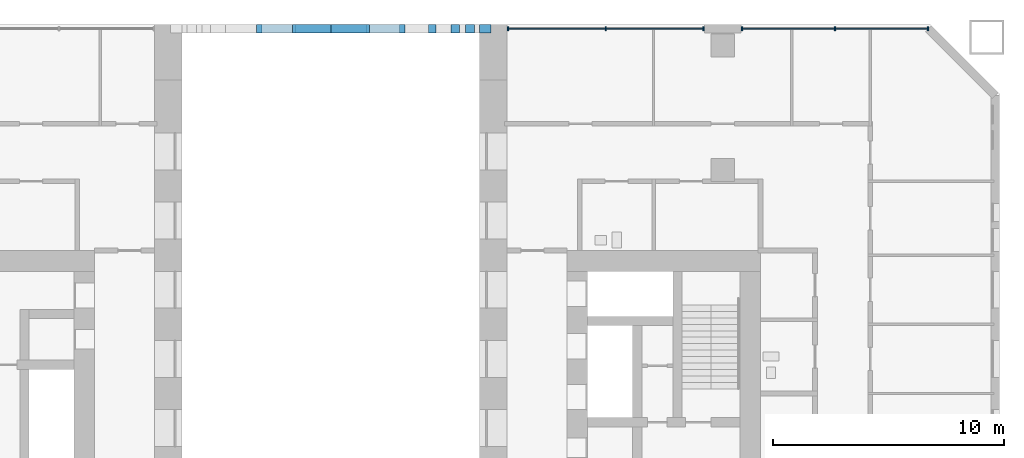
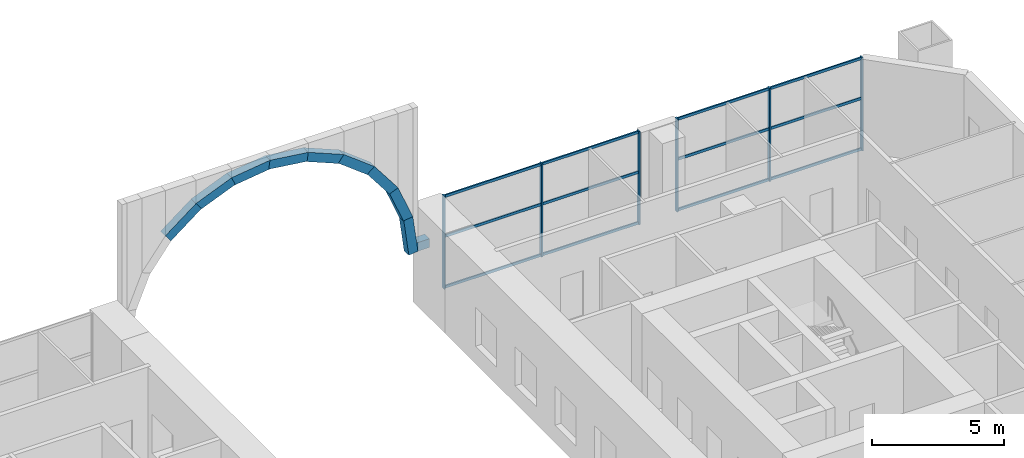
# One storey, part 7 of 21: 18 members, 10 beams, 2 elements without a shape of their own.
"""IFC4 building model written with IfcOpenShell, lengths in metres."""

from ifc_helpers import new_model, si_unit, direction, frame, origin, origin_2d, place, context, subcontext, project, spatial, rectangle, extrude, material, material_profile, profile_set, type_object, element, aggregate, save


model = new_model("IFC4")

# Units and contexts
model_context = context("Model", 3, precision=1e-05, world=origin(), true_north=direction((0.0, 1.0)))
body_context = subcontext(model_context, "Body", "Model", "MODEL_VIEW")
ifc_project = project(units=[si_unit("LENGTHUNIT", "METRE"), si_unit("AREAUNIT", "SQUARE_METRE"), si_unit("VOLUMEUNIT", "CUBIC_METRE"), si_unit("PLANEANGLEUNIT", "RADIAN"), si_unit("MASSUNIT", "GRAM", prefix="KILO")], contexts=[model_context])

# Site, building, storey
site_placement = place(None, origin())
site = spatial("IfcSite", under=ifc_project, at=site_placement, CompositionType="ELEMENT")
building_placement = place(site_placement, origin())
building = spatial("IfcBuilding", under=site, at=building_placement, Name="Tuart Gate Housing", CompositionType="ELEMENT")
storey_placement = place(building_placement, frame((0.0, 0.0, 5.5)))
storey = spatial("IfcBuildingStorey", under=building, at=storey_placement, Name="L01", CompositionType="ELEMENT", Elevation=5.5)

# Curtain wall, members
ifc_material_1 = material(Name="Aluminium and clear glass", Category="aluminium")
curtain_wall_type = type_object("IfcCurtainWallType", Name="Podium health glazing", PredefinedType="USERDEFINED", material=ifc_material_1)
curtain_wall_1_placement = place(storey_placement, origin())
curtain_wall_1 = element("IfcCurtainWall", 1, at=curtain_wall_1_placement, inside=storey, type_object=curtain_wall_type, Name="Podium health glazing B-N L01", ObjectType="PODIUM HEALTH GLAZING", PredefinedType="USERDEFINED")
ifc_material_2 = material(Name="Anodised aluminium", Category="aluminium")
ifc_material_profile_1 = material_profile(ifc_material_2, rectangle(XDim=0.06005859375, YDim=0.159912109375, at=origin_2d()), Name="60x160")
ifc_profile_set_1 = profile_set([ifc_material_profile_1], Name="Anodised aluminium")
member_type_1 = type_object("IfcMemberType", Name="Mullion 60 x 160", PredefinedType="MULLION", material=ifc_profile_set_1)
member_1_placement = place(storey_placement, frame((175.8955078125, 85.820068359375, 0.0), z_axis=(0.0, 0.0, 1.0), x_axis=(-1.0, 0.0, 0.0)))
member_1 = element("IfcMember", 2, at=member_1_placement, type_object=member_type_1, Name="CW1 mullion 1", PredefinedType="MULLION", context=body_context, shape_type="SweptSolid", body=[
    extrude(rectangle(XDim=0.06005859375, YDim=0.159912109375, at=origin_2d()), origin(), (0.0, 0.0, 1.0), 4.300048828125),
])
member_2_placement = place(storey_placement, frame((171.86279296875, 85.820068359375, 0.0), z_axis=(0.0, 0.0, 1.0), x_axis=(-1.0, 0.0, 0.0)))
member_2 = element("IfcMember", 3, at=member_2_placement, type_object=member_type_1, Name="CW1 mullion 2", PredefinedType="MULLION", context=body_context, shape_type="SweptSolid", body=[
    extrude(rectangle(XDim=0.06005859375, YDim=0.159912109375, at=origin_2d()), origin(), (0.0, 0.0, 1.0), 4.300048828125),
])
member_3_placement = place(storey_placement, frame((167.830078125, 85.820068359375, 0.0), z_axis=(0.0, 0.0, 1.0), x_axis=(-1.0, 0.0, 0.0)))
member_3 = element("IfcMember", 4, at=member_3_placement, type_object=member_type_1, Name="CW1 mullion 3", PredefinedType="MULLION", context=body_context, shape_type="SweptSolid", body=[
    extrude(rectangle(XDim=0.06005859375, YDim=0.159912109375, at=origin_2d()), origin(), (0.0, 0.0, 1.0), 4.300048828125),
])

curtain_wall_2_placement = place(storey_placement, origin())
curtain_wall_2 = element("IfcCurtainWall", 5, at=curtain_wall_2_placement, inside=storey, type_object=curtain_wall_type, Name="Podium health glazing B-N L01", ObjectType="PODIUM HEALTH GLAZING", PredefinedType="USERDEFINED")
member_4_placement = place(storey_placement, frame((166.169921875, 85.820068359375, 0.0), z_axis=(0.0, 0.0, 1.0), x_axis=(-1.0, 0.0, 0.0)))
member_4 = element("IfcMember", 6, at=member_4_placement, type_object=member_type_1, Name="CW1 mullion 1", PredefinedType="MULLION", context=body_context, shape_type="SweptSolid", body=[
    extrude(rectangle(XDim=0.06005859375, YDim=0.159912109375, at=origin_2d()), origin(), (0.0, 0.0, 1.0), 4.300048828125),
])
member_5_placement = place(storey_placement, frame((161.925048828125, 85.820068359375, 0.0), z_axis=(0.0, 0.0, 1.0), x_axis=(-1.0, 0.0, 0.0)))
member_5 = element("IfcMember", 7, at=member_5_placement, type_object=member_type_1, Name="CW1 mullion 2", PredefinedType="MULLION", context=body_context, shape_type="SweptSolid", body=[
    extrude(rectangle(XDim=0.06005859375, YDim=0.159912109375, at=origin_2d()), origin(), (0.0, 0.0, 1.0), 4.300048828125),
])
member_6_placement = place(storey_placement, frame((157.679931640625, 85.820068359375, 0.0), z_axis=(0.0, 0.0, 1.0), x_axis=(-1.0, 0.0, 0.0)))
member_6 = element("IfcMember", 8, at=member_6_placement, type_object=member_type_1, Name="CW1 mullion 3", PredefinedType="MULLION", context=body_context, shape_type="SweptSolid", body=[
    extrude(rectangle(XDim=0.06005859375, YDim=0.159912109375, at=origin_2d()), origin(), (0.0, 0.0, 1.0), 4.300048828125),
])

# Beams
ifc_material_3 = material(Name="Concrete C50", Category="concrete")
ifc_material_profile_2 = material_profile(ifc_material_3, rectangle(XDim=0.360107421875, YDim=0.39990234375, at=origin_2d()), Name="RC arch ring 360 x 400")
ifc_profile_set_2 = profile_set([ifc_material_profile_2], Name="Concrete C50")
beam_type = type_object("IfcBeamType", Name="RC arch ring 360 x 400", PredefinedType="BEAM", material=ifc_profile_set_2)
for number, where, z_axis, x_axis, name in (
    (9, (145.560791015625, 85.820068359375, 6.652099609375), (0.793340265696, 0.0, 0.608778467774), (0.0, 1.0, 0.0), "Arch rib beam BN segment 3"),
    (10, (146.8515625, 85.820068359375, 7.651123046875), (0.923898438151, 0.0, 0.382637786924), (0.0, 1.0, 0.0), "Arch rib beam BN segment 4"),
    (11, (148.356689453125, 85.820068359375, 8.281982421875), (0.991449359805, 0.0, 0.130492018693), (0.0, 1.0, 0.0), "Arch rib beam BN segment 5"),
    (12, (149.973876953125, 85.820068359375, 8.501708984375), (0.991449359805, 0.0, -0.130492018693), (0.0, 1.0, 0.0), "Arch rib beam BN segment 6"),
    (13, (151.5927734375, 85.820068359375, 8.29541015625), (0.923898438151, 0.0, -0.382637786924), (0.0, 1.0, 0.0), "Arch rib beam BN segment 7"),
    (14, (153.103271484375, 85.820068359375, 7.67724609375), (0.793340265696, 0.0, -0.608778467774), (0.0, 1.0, 0.0), "Arch rib beam BN segment 8"),
    (15, (154.402099609375, 85.820068359375, 6.689208984375), (0.608778467774, 0.0, -0.793340265696), (0.0, 1.0, 0.0), "Arch rib beam BN segment 9"),
    (16, (155.401123046875, 85.820068359375, 5.3984375), (0.382637786924, 0.0, -0.923898438151), (0.0, 1.0, 0.0), "Arch rib beam BN segment 10"),
    (17, (156.031982421875, 85.820068359375, 3.893310546875), (0.130492018693, 0.0, -0.991449359805), (0.0, 1.0, 0.0), "Arch rib beam BN segment 11"),
):
    element("IfcBeam", number, at=place(storey_placement, frame(where, z_axis=z_axis, x_axis=x_axis)), inside=storey, type_object=beam_type, Name=name, PredefinedType="BEAM", context=body_context, shape_type="SweptSolid", body=[
        extrude(rectangle(XDim=0.360107421875, YDim=0.39990234375, at=origin_2d()), origin(), (0.0, 0.0, 1.0), 1.683837890625),
    ])
beam_placement = place(storey_placement, frame((156.10009765625, 85.820068359375, 2.449951171875), z_axis=(1.0, 0.0, 0.0), x_axis=(0.0, 1.0, 0.0)))
element("IfcBeam", 18, at=beam_placement, inside=storey, type_object=beam_type, Name="Arch seat beam BN east", PredefinedType="BEAM", context=body_context, shape_type="SweptSolid", body=[
    extrude(rectangle(XDim=0.360107421875, YDim=0.39990234375, at=origin_2d()), origin(), (0.0, 0.0, 1.0), 0.849853515625),
])

# Member
ifc_material_4 = material(Name="Anodised aluminium", Category="aluminium")
ifc_material_profile_3 = material_profile(ifc_material_4, rectangle(XDim=0.06005859375, YDim=0.1201171875, at=origin_2d()), Name="60x120")
ifc_profile_set_3 = profile_set([ifc_material_profile_3], Name="Anodised aluminium")
member_type_2 = type_object("IfcMemberType", Name="Transom 60 x 120", PredefinedType="USERDEFINED", material=ifc_profile_set_3)
member_7_placement = place(storey_placement, frame((175.865478515625, 85.820068359375, 0.06005859375), z_axis=(-1.0, 0.0, 0.0), x_axis=(0.0, -1.0, 0.0)))
member_7 = element("IfcMember", 19, at=member_7_placement, type_object=member_type_2, Name="CW1 transom 1.1", ObjectType="TRANSOM", PredefinedType="USERDEFINED", context=body_context, shape_type="SweptSolid", body=[
    extrude(rectangle(XDim=0.06005859375, YDim=0.1201171875, at=origin_2d()), origin(), (0.0, 0.0, 1.0), 3.972900390625),
])

member_8_placement = place(storey_placement, frame((175.865478515625, 85.820068359375, 2.39990234375), z_axis=(-1.0, 0.0, 0.0), x_axis=(0.0, -1.0, 0.0)))
member_8 = element("IfcMember", 20, at=member_8_placement, type_object=member_type_2, Name="CW1 transom 1.2", ObjectType="TRANSOM", PredefinedType="USERDEFINED", context=body_context, shape_type="SweptSolid", body=[
    extrude(rectangle(XDim=0.06005859375, YDim=0.1201171875, at=origin_2d()), origin(), (0.0, 0.0, 1.0), 3.972900390625),
])

member_9_placement = place(storey_placement, frame((175.865478515625, 85.820068359375, 4.239990234375), z_axis=(-1.0, 0.0, 0.0), x_axis=(0.0, -1.0, 0.0)))
member_9 = element("IfcMember", 21, at=member_9_placement, type_object=member_type_2, Name="CW1 transom 1.3", ObjectType="TRANSOM", PredefinedType="USERDEFINED", context=body_context, shape_type="SweptSolid", body=[
    extrude(rectangle(XDim=0.06005859375, YDim=0.1201171875, at=origin_2d()), origin(), (0.0, 0.0, 1.0), 3.972900390625),
])

member_10_placement = place(storey_placement, frame((171.832763671875, 85.820068359375, 0.06005859375), z_axis=(-1.0, 0.0, 0.0), x_axis=(0.0, -1.0, 0.0)))
member_10 = element("IfcMember", 22, at=member_10_placement, type_object=member_type_2, Name="CW1 transom 2.1", ObjectType="TRANSOM", PredefinedType="USERDEFINED", context=body_context, shape_type="SweptSolid", body=[
    extrude(rectangle(XDim=0.06005859375, YDim=0.1201171875, at=origin_2d()), origin(), (0.0, 0.0, 1.0), 3.97265625),
])

member_11_placement = place(storey_placement, frame((171.832763671875, 85.820068359375, 2.39990234375), z_axis=(-1.0, 0.0, 0.0), x_axis=(0.0, -1.0, 0.0)))
member_11 = element("IfcMember", 23, at=member_11_placement, type_object=member_type_2, Name="CW1 transom 2.2", ObjectType="TRANSOM", PredefinedType="USERDEFINED", context=body_context, shape_type="SweptSolid", body=[
    extrude(rectangle(XDim=0.06005859375, YDim=0.1201171875, at=origin_2d()), origin(), (0.0, 0.0, 1.0), 3.97265625),
])

member_12_placement = place(storey_placement, frame((171.832763671875, 85.820068359375, 4.239990234375), z_axis=(-1.0, 0.0, 0.0), x_axis=(0.0, -1.0, 0.0)))
member_12 = element("IfcMember", 24, at=member_12_placement, type_object=member_type_2, Name="CW1 transom 2.3", ObjectType="TRANSOM", PredefinedType="USERDEFINED", context=body_context, shape_type="SweptSolid", body=[
    extrude(rectangle(XDim=0.06005859375, YDim=0.1201171875, at=origin_2d()), origin(), (0.0, 0.0, 1.0), 3.97265625),
])

aggregate(curtain_wall_1, [member_1, member_2, member_3, member_7, member_8, member_9, member_10, member_11, member_12])

member_13_placement = place(storey_placement, frame((166.139892578125, 85.820068359375, 0.06005859375), z_axis=(-1.0, 0.0, 0.0), x_axis=(0.0, -1.0, 0.0)))
member_13 = element("IfcMember", 25, at=member_13_placement, type_object=member_type_2, Name="CW1 transom 1.1", ObjectType="TRANSOM", PredefinedType="USERDEFINED", context=body_context, shape_type="SweptSolid", body=[
    extrude(rectangle(XDim=0.06005859375, YDim=0.1201171875, at=origin_2d()), origin(), (0.0, 0.0, 1.0), 4.184814453125),
])

member_14_placement = place(storey_placement, frame((166.139892578125, 85.820068359375, 2.39990234375), z_axis=(-1.0, 0.0, 0.0), x_axis=(0.0, -1.0, 0.0)))
member_14 = element("IfcMember", 26, at=member_14_placement, type_object=member_type_2, Name="CW1 transom 1.2", ObjectType="TRANSOM", PredefinedType="USERDEFINED", context=body_context, shape_type="SweptSolid", body=[
    extrude(rectangle(XDim=0.06005859375, YDim=0.1201171875, at=origin_2d()), origin(), (0.0, 0.0, 1.0), 4.184814453125),
])

member_15_placement = place(storey_placement, frame((166.139892578125, 85.820068359375, 4.239990234375), z_axis=(-1.0, 0.0, 0.0), x_axis=(0.0, -1.0, 0.0)))
member_15 = element("IfcMember", 27, at=member_15_placement, type_object=member_type_2, Name="CW1 transom 1.3", ObjectType="TRANSOM", PredefinedType="USERDEFINED", context=body_context, shape_type="SweptSolid", body=[
    extrude(rectangle(XDim=0.06005859375, YDim=0.1201171875, at=origin_2d()), origin(), (0.0, 0.0, 1.0), 4.184814453125),
])

member_16_placement = place(storey_placement, frame((161.89501953125, 85.820068359375, 0.06005859375), z_axis=(-1.0, 0.0, 0.0), x_axis=(0.0, -1.0, 0.0)))
member_16 = element("IfcMember", 28, at=member_16_placement, type_object=member_type_2, Name="CW1 transom 2.1", ObjectType="TRANSOM", PredefinedType="USERDEFINED", context=body_context, shape_type="SweptSolid", body=[
    extrude(rectangle(XDim=0.06005859375, YDim=0.1201171875, at=origin_2d()), origin(), (0.0, 0.0, 1.0), 4.18505859375),
])

member_17_placement = place(storey_placement, frame((161.89501953125, 85.820068359375, 2.39990234375), z_axis=(-1.0, 0.0, 0.0), x_axis=(0.0, -1.0, 0.0)))
member_17 = element("IfcMember", 29, at=member_17_placement, type_object=member_type_2, Name="CW1 transom 2.2", ObjectType="TRANSOM", PredefinedType="USERDEFINED", context=body_context, shape_type="SweptSolid", body=[
    extrude(rectangle(XDim=0.06005859375, YDim=0.1201171875, at=origin_2d()), origin(), (0.0, 0.0, 1.0), 4.18505859375),
])

member_18_placement = place(storey_placement, frame((161.89501953125, 85.820068359375, 4.239990234375), z_axis=(-1.0, 0.0, 0.0), x_axis=(0.0, -1.0, 0.0)))
member_18 = element("IfcMember", 30, at=member_18_placement, type_object=member_type_2, Name="CW1 transom 2.3", ObjectType="TRANSOM", PredefinedType="USERDEFINED", context=body_context, shape_type="SweptSolid", body=[
    extrude(rectangle(XDim=0.06005859375, YDim=0.1201171875, at=origin_2d()), origin(), (0.0, 0.0, 1.0), 4.18505859375),
])

aggregate(curtain_wall_2, [member_4, member_5, member_6, member_13, member_14, member_15, member_16, member_17, member_18])

save(model, "model.ifc")
